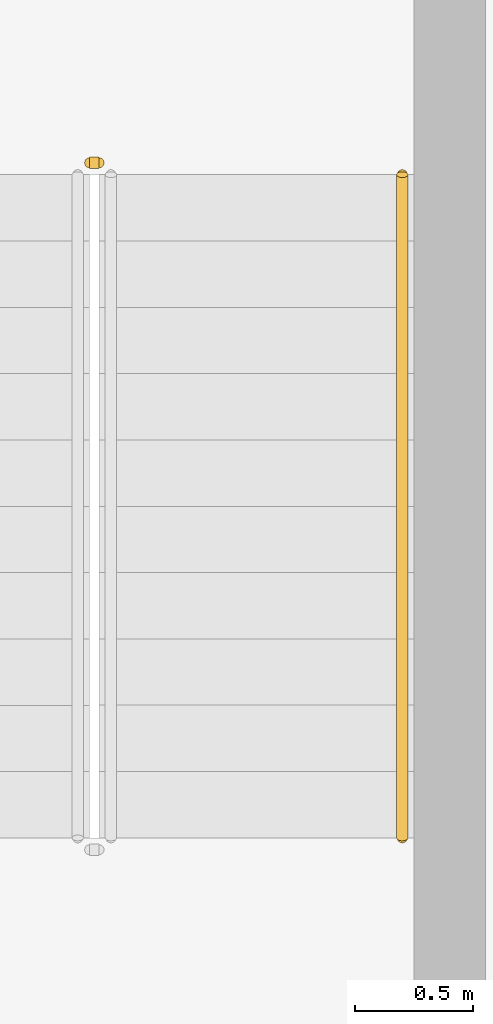
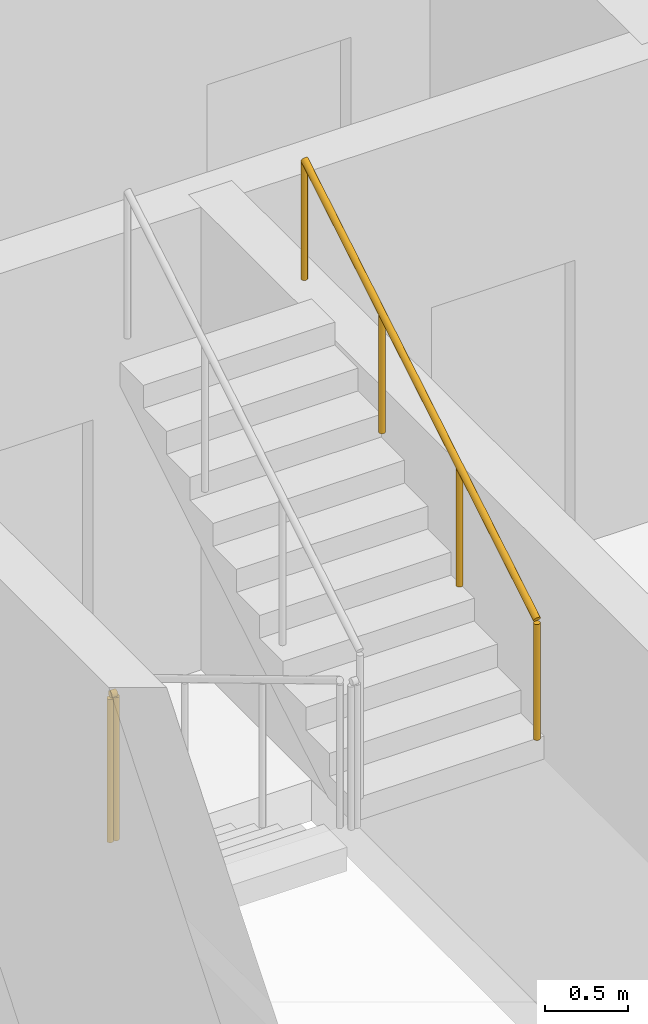
# One storey, part 23 of 26: 2 railings.
"""IFC4 building model written with IfcOpenShell, lengths in metres."""

import ifcopenshell
import ifcopenshell.guid

model = None  # the IFC model being written
_history = None  # IfcOwnerHistory: only IFC2X3 demands one
_inside = {}  # id of a spatial element -> (the spatial element, [elements in it])
_under = {}  # id of a project, library or spatial element -> (it, [spatial elements below it])
_declared = {}  # id of a project -> (the project, [libraries it declares])
_typed = {}  # id of a type object -> (the type object, [elements of that type])
_made_of = {}  # id of a material, layer set ... -> (it, [elements and type objects made of it])


def new_model(schema):
    """Start an empty IFC model of exactly this schema.

    Asked for "IFC4X3", IfcOpenShell would pick the latest addendum, in which some entities
    have other attributes; the version numbers below select the first issue.
    IFC2X3 requires an IfcOwnerHistory on every rooted entity: one is made here for all.
    """
    global model, _history
    if schema == "IFC4X3":
        model = ifcopenshell.file(schema_version=(4, 3, 0, 0))
    else:
        model = ifcopenshell.file(schema=schema)
    _inside.clear()
    _under.clear()
    _declared.clear()
    _typed.clear()
    _made_of.clear()
    _history = None
    if model.schema == "IFC2X3":
        org = make("IfcOrganization", Name="unknown")
        user = make(
            "IfcPersonAndOrganization",
            ThePerson=make("IfcPerson", FamilyName="unknown"),
            TheOrganization=org,
        )
        app = make(
            "IfcApplication",
            ApplicationDeveloper=org,
            Version="unknown",
            ApplicationFullName="unknown",
            ApplicationIdentifier="unknown",
        )
        _history = make(
            "IfcOwnerHistory",
            OwningUser=user,
            OwningApplication=app,
            ChangeAction="ADDED",
            CreationDate=0,
        )
    return model


def make(cls, **values):
    """One entity of the class cls with the attributes given. An attribute that is None is left unset."""
    return model.create_entity(
        cls, **{name: value for name, value in values.items() if value is not None}
    )


def rooted(cls, **values):
    """An entity with a GlobalId (a new one), such as an element, a storey or a relation."""
    return make(cls, GlobalId=ifcopenshell.guid.new(), OwnerHistory=_history, **values)


def si_unit(unit_type, name, prefix=None):
    """IfcSIUnit, for example si_unit("LENGTHUNIT", "METRE", prefix="MILLI")."""
    return make("IfcSIUnit", UnitType=unit_type, Prefix=prefix, Name=name)


def assignment(units):
    """IfcUnitAssignment: the units of a project."""
    return None if units is None else make("IfcUnitAssignment", Units=units)


def point(xyz):
    """IfcCartesianPoint."""
    return None if xyz is None else make("IfcCartesianPoint", Coordinates=xyz)


def direction(xyz):
    """IfcDirection."""
    return None if xyz is None else make("IfcDirection", DirectionRatios=xyz)


def frame(location, z_axis=None, x_axis=None):
    """IfcAxis2Placement3D, a coordinate frame: its origin and axes. An axis left out is left unset."""
    return make(
        "IfcAxis2Placement3D",
        Location=point(location),
        Axis=direction(z_axis),
        RefDirection=direction(x_axis),
    )


def frame_2d(location, x_axis=None):
    """IfcAxis2Placement2D, a coordinate frame in the plane: its origin and x axis."""
    return make(
        "IfcAxis2Placement2D", Location=point(location), RefDirection=direction(x_axis)
    )


def origin():
    """The frame at (0, 0, 0) with its axes left unset."""
    return frame((0.0, 0.0, 0.0))


def origin_2d():
    """The frame at (0, 0) in the plane with its x axis left unset."""
    return frame_2d((0.0, 0.0))


def place(relative_to, where):
    """IfcLocalPlacement: puts the frame where relative to a parent placement (None: the world)."""
    return make(
        "IfcLocalPlacement", PlacementRelTo=relative_to, RelativePlacement=where
    )


def context(
    kind, dimensions, precision=None, world=None, true_north=None, identifier=None
):
    """IfcGeometricRepresentationContext, for example the 3D "Model" context."""
    return make(
        "IfcGeometricRepresentationContext",
        ContextIdentifier=identifier,
        ContextType=kind,
        CoordinateSpaceDimension=dimensions,
        Precision=precision,
        WorldCoordinateSystem=world,
        TrueNorth=true_north,
    )


def subcontext(parent, identifier, kind, view, scale=None):
    """IfcGeometricRepresentationSubContext, for example "Body" below "Model"."""
    return make(
        "IfcGeometricRepresentationSubContext",
        ContextIdentifier=identifier,
        ContextType=kind,
        ParentContext=parent,
        TargetScale=scale,
        TargetView=view,
    )


def project(units=None, contexts=None):
    """IfcProject with its units and contexts."""
    return rooted(
        "IfcProject",
        Name="project",
        RepresentationContexts=contexts,
        UnitsInContext=assignment(units),
    )


def spatial(cls, under=None, at=None, **own):
    """A site, building, storey or space (cls), placed at a placement, below another one or the project."""
    s = rooted(cls, ObjectPlacement=at, **own)
    if under is not None:
        _under.setdefault(under.id(), (under, []))[1].append(s)
    return s


def profile(cls, at=None, kind="AREA", **sizes):
    """A parametric profile (cls). Its sizes go by their IFC names, for example OverallWidth=200.0."""
    return make(cls, ProfileType=kind, Position=at, **sizes)


def circle(**sizes):
    """IfcCircleProfileDef."""
    return profile("IfcCircleProfileDef", **sizes)


def extrude(swept, where, along, depth):
    """IfcExtrudedAreaSolid: the profile swept, set in the frame where, extruded along a direction by depth."""
    return make(
        "IfcExtrudedAreaSolid",
        SweptArea=swept,
        Position=where,
        ExtrudedDirection=direction(along),
        Depth=depth,
    )


def shape(context_of_items, identifier, shape_type, items):
    """IfcShapeRepresentation: the items that make up one representation, for example the "Body"."""
    return make(
        "IfcShapeRepresentation",
        ContextOfItems=context_of_items,
        RepresentationIdentifier=identifier,
        RepresentationType=shape_type,
        Items=items,
    )


def material(Name=None, Category=None):
    """IfcMaterial."""
    return make("IfcMaterial", Name=Name, Category=Category)


def made_of(thing, what):
    """Note that an element or type object is made of a material, layer set ...; save() writes the relation."""
    if what is not None:
        _made_of.setdefault(what.id(), (what, []))[1].append(thing)
    return thing


def type_object(cls, material=None, **own):
    """A type object (cls), such as IfcWallType, which elements share."""
    return made_of(rooted(cls, **own), material)


def element(
    cls,
    number,
    at=None,
    inside=None,
    cuts=None,
    type_object=None,
    material=None,
    context=None,
    identifier="Body",
    shape_type=None,
    held_by="IfcProductDefinitionShape",
    body=None,
    shapes=None,
    **own,
):
    """One element of the class cls, such as IfcWall. Its Tag is "e" and its number.

    at: its placement. inside: the storey or other place that contains it. cuts: it is an
    opening in that element (IfcRelVoidsElement). A single representation is given by context,
    identifier, shape_type and body (its items); several are given by shapes. held_by: the class
    of the entity that holds the representations. save() writes the other relations.
    """
    e = rooted(cls, Tag="e%d" % number, ObjectPlacement=at, **own)
    if body is not None:
        shapes = [shape(context, identifier, shape_type, body)]
    if shapes is not None:
        e.Representation = make(held_by, Representations=shapes)
    if inside is not None:
        _inside.setdefault(inside.id(), (inside, []))[1].append(e)
    if cuts is not None:
        rooted(
            "IfcRelVoidsElement", RelatingBuildingElement=cuts, RelatedOpeningElement=e
        )
    if type_object is not None:
        _typed.setdefault(type_object.id(), (type_object, []))[1].append(e)
    return made_of(e, material)


def aggregate(whole, parts):
    """IfcRelAggregates: a whole, such as a stair, and the parts it consists of."""
    return rooted("IfcRelAggregates", RelatingObject=whole, RelatedObjects=parts)


def save(model, path):
    """Write the relations noted so far, then the file.

    IfcRelAggregates (storeys below a building ...), IfcRelContainedInSpatialStructure (elements
    in a storey), IfcRelDefinesByType, IfcRelAssociatesMaterial and IfcRelDeclares: one each for
    every whole, place, type object, material and project.
    """
    for whole, parts in _under.values():
        aggregate(whole, parts)
    for where, things in _inside.values():
        rooted(
            "IfcRelContainedInSpatialStructure",
            RelatedElements=things,
            RelatingStructure=where,
        )
    for kind, things in _typed.values():
        rooted("IfcRelDefinesByType", RelatedObjects=things, RelatingType=kind)
    for what, things in _made_of.values():
        rooted("IfcRelAssociatesMaterial", RelatedObjects=things, RelatingMaterial=what)
    for by, libraries in _declared.values():
        rooted("IfcRelDeclares", RelatingContext=by, RelatedDefinitions=libraries)
    model.write(path)


model = new_model("IFC4")

# Units and contexts
model_context = context("Model", 3, precision=1e-05, world=origin(), true_north=direction((0.0, 1.0)))
body_context = subcontext(model_context, "Body", "Model", "MODEL_VIEW")
ifc_project = project(units=[si_unit("LENGTHUNIT", "METRE"), si_unit("AREAUNIT", "SQUARE_METRE"), si_unit("VOLUMEUNIT", "CUBIC_METRE"), si_unit("PLANEANGLEUNIT", "RADIAN"), si_unit("MASSUNIT", "GRAM", prefix="KILO")], contexts=[model_context])

# Site, building, storey
site_placement = place(None, origin())
site = spatial("IfcSite", under=ifc_project, at=site_placement, CompositionType="ELEMENT")
building_placement = place(site_placement, origin())
building = spatial("IfcBuilding", under=site, at=building_placement, Name="Ogive Portal Towers", CompositionType="ELEMENT")
storey_placement = place(building_placement, frame((0.0, 0.0, 171.800048828125)))
storey = spatial("IfcBuildingStorey", under=building, at=storey_placement, Name="L42", CompositionType="ELEMENT", Elevation=171.800048828125)

# Railings
ifc_material_1 = material(Name="Stainless steel balustrade", Category="steel")
railing_type_1 = type_object("IfcRailingType", Name="INT-GUARD", PredefinedType="GUARDRAIL", material=ifc_material_1)
railing_1_placement = place(storey_placement, frame((88.330078125, 29.219970703125, 0.0)))
element("IfcRailing", 1, at=railing_1_placement, inside=storey, type_object=railing_type_1, Name="L42 ST-A4 stair guard 4", PredefinedType="GUARDRAIL", context=body_context, shape_type="SweptSolid", body=[
    extrude(circle(Radius=0.02392578125, at=origin_2d()), frame((0.0, 0.0, 1.076171875), z_axis=(1.0, 0.0, 0.0), x_axis=(0.0, 1.0, 0.0)), (0.0, 0.0, 1.0), 0.0400390625),
    extrude(circle(Radius=0.02099609375, at=origin_2d()), origin(), (0.0, 0.0, 1.0), 1.052001953125),
    extrude(circle(Radius=0.02099609375, at=origin_2d()), frame((0.0400390625, 0.0, 0.0)), (0.0, 0.0, 1.0), 1.052001953125),
])
ifc_material_2 = material(Name="Stainless steel handrail", Category="steel")
railing_type_2 = type_object("IfcRailingType", Name="INT-HANDRAIL", PredefinedType="HANDRAIL", material=ifc_material_2)
railing_2_placement = place(storey_placement, frame((89.64990234375, 26.3701171875, 2.01806640625)))
element("IfcRailing", 2, at=railing_2_placement, inside=storey, type_object=railing_type_2, Name="L42 ST-A4 stair handrail 2", PredefinedType="HANDRAIL", context=body_context, shape_type="SweptSolid", body=[
    extrude(circle(Radius=0.02392578125, at=origin_2d()), frame((0.0, 0.0, 0.8759765625), z_axis=(0.0, 0.857222391501, 0.514946377315), x_axis=(-1.0, 0.0, 0.0)), (0.0, 0.0, 1.0), 3.26611328125),
    extrude(circle(Radius=0.02099609375, at=origin_2d()), origin(), (0.0, 0.0, 1.0), 0.851806640625),
    extrude(circle(Radius=0.02099609375, at=origin_2d()), frame((0.0, 0.933349609375, 0.560546875)), (0.0, 0.0, 1.0), 0.851806640625),
    extrude(circle(Radius=0.02099609375, at=origin_2d()), frame((0.0, 1.866455078125, 1.121337890625)), (0.0, 0.0, 1.0), 0.851806640625),
    extrude(circle(Radius=0.02099609375, at=origin_2d()), frame((0.0, 2.7998046875, 1.681884765625)), (0.0, 0.0, 1.0), 0.851806640625),
])

save(model, "model.ifc")
